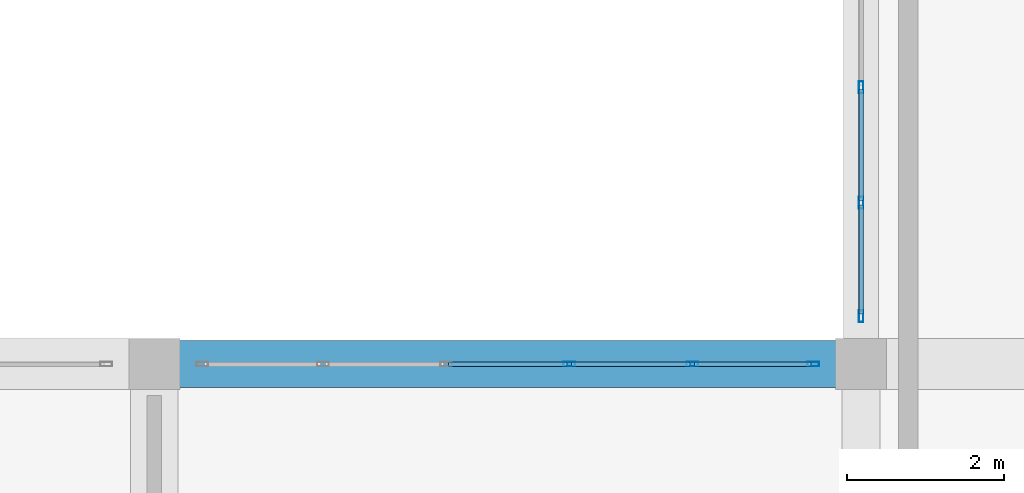
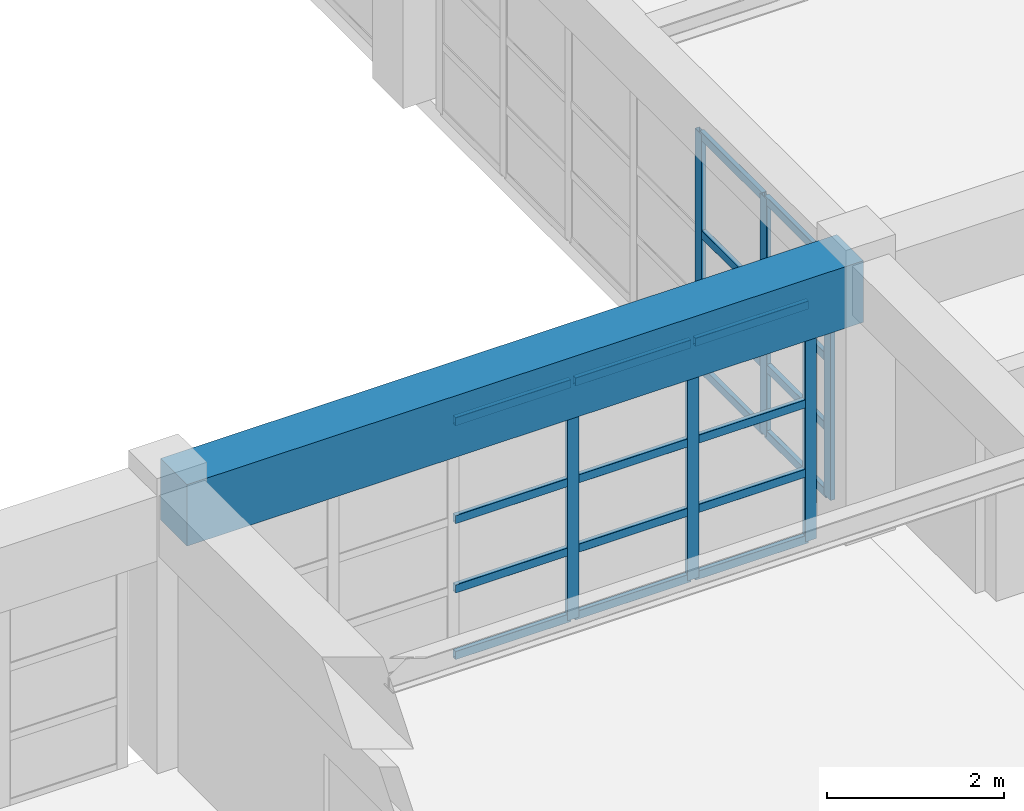
# One storey, part 56 of 130: 26 members, 1 beam, 2 elements without a shape of their own.
"""IFC4 building model written with IfcOpenShell, lengths in metres."""

from ifc_helpers import new_model, si_unit, direction, frame, origin, origin_2d, place, context, subcontext, project, spatial, rectangle, hollow_rectangle, extrude, material, material_profile, profile_set, type_object, element, aggregate, save


model = new_model("IFC4")

# Units and contexts
model_context = context("Model", 3, precision=1e-05, world=origin(), true_north=direction((0.0, 1.0)))
body_context = subcontext(model_context, "Body", "Model", "MODEL_VIEW")
ifc_project = project(units=[si_unit("LENGTHUNIT", "METRE"), si_unit("AREAUNIT", "SQUARE_METRE"), si_unit("VOLUMEUNIT", "CUBIC_METRE"), si_unit("PLANEANGLEUNIT", "RADIAN"), si_unit("MASSUNIT", "GRAM", prefix="KILO")], contexts=[model_context])

# Site, building, storey
site_placement = place(None, origin())
site = spatial("IfcSite", under=ifc_project, at=site_placement, CompositionType="ELEMENT")
building_placement = place(site_placement, origin())
building = spatial("IfcBuilding", under=site, at=building_placement, Name="Miravela Opera House", CompositionType="ELEMENT")
storey_placement = place(building_placement, frame((0.0, 0.0, 9.52001953125)))
storey = spatial("IfcBuildingStorey", under=building, at=storey_placement, Name="L02", CompositionType="ELEMENT", Elevation=9.52001953125)

# Curtain wall, members
ifc_material_1 = material(Name="Anodised architectural bronze aluminium 6063-T6", Category="aluminium")
curtain_wall_type = type_object("IfcCurtainWallType", Name="ARC-CW-05", PredefinedType="NOTDEFINED", material=ifc_material_1)
curtain_wall_1_placement = place(storey_placement, origin())
curtain_wall_1 = element("IfcCurtainWall", 1, at=curtain_wall_1_placement, inside=storey, type_object=curtain_wall_type, Name="Courtyard Arcade Curtain Wall CW-L02-095", PredefinedType="NOTDEFINED")
ifc_material_profile_1 = material_profile(ifc_material_1, hollow_rectangle(XDim=0.06005859375, YDim=0.14990234375, WallThickness=0.00390625, InnerFilletRadius=0.001953125, OuterFilletRadius=0.00390625, at=origin_2d()), Name="CWM-60X150")
ifc_profile_set_1 = profile_set([ifc_material_profile_1])
member_type_1 = type_object("IfcMemberType", Name="ARC-CWM-150", PredefinedType="MULLION", material=ifc_profile_set_1)
member_1_placement = place(storey_placement, frame((59.283935546875, 84.0, 0.0), z_axis=(0.0, 0.0, 1.0), x_axis=(0.0, 1.0, 0.0)))
member_1 = element("IfcMember", 2, at=member_1_placement, type_object=member_type_1, Name="CW-05 mullion 4", PredefinedType="MULLION", context=body_context, shape_type="SweptSolid", body=[
    extrude(hollow_rectangle(XDim=0.06005859375, YDim=0.14990234375, WallThickness=0.00390625, InnerFilletRadius=0.001953125, OuterFilletRadius=0.00390625, at=origin_2d()), origin(), (0.0, 0.0, 1.0), 3.2900390625),
])
member_2_placement = place(storey_placement, frame((60.85205078125, 84.0, 0.0), z_axis=(0.0, 0.0, 1.0), x_axis=(0.0, 1.0, 0.0)))
member_2 = element("IfcMember", 3, at=member_2_placement, type_object=member_type_1, Name="CW-05 mullion 5", PredefinedType="MULLION", context=body_context, shape_type="SweptSolid", body=[
    extrude(hollow_rectangle(XDim=0.06005859375, YDim=0.14990234375, WallThickness=0.00390625, InnerFilletRadius=0.001953125, OuterFilletRadius=0.00390625, at=origin_2d()), origin(), (0.0, 0.0, 1.0), 3.2900390625),
])
member_3_placement = place(storey_placement, frame((62.389892578125, 84.0, 0.0), z_axis=(0.0, 0.0, 1.0), x_axis=(0.0, 1.0, 0.0)))
member_3 = element("IfcMember", 4, at=member_3_placement, type_object=member_type_1, Name="CW-05 mullion 6", PredefinedType="MULLION", context=body_context, shape_type="SweptSolid", body=[
    extrude(hollow_rectangle(XDim=0.06005859375, YDim=0.14990234375, WallThickness=0.00390625, InnerFilletRadius=0.001953125, OuterFilletRadius=0.00390625, at=origin_2d()), origin(), (0.0, 0.0, 1.0), 3.2900390625),
])

curtain_wall_2_placement = place(storey_placement, origin())
curtain_wall_2 = element("IfcCurtainWall", 5, at=curtain_wall_2_placement, inside=storey, type_object=curtain_wall_type, Name="Courtyard Arcade Curtain Wall CW-L02-099", PredefinedType="NOTDEFINED")
member_4_placement = place(storey_placement, frame((63.0, 84.610107421875, 0.0), z_axis=(0.0, 0.0, 1.0), x_axis=(-1.0, 0.0, 0.0)))
member_4 = element("IfcMember", 6, at=member_4_placement, type_object=member_type_1, Name="CW-05 mullion 1", PredefinedType="MULLION", context=body_context, shape_type="SweptSolid", body=[
    extrude(hollow_rectangle(XDim=0.06005859375, YDim=0.14990234375, WallThickness=0.00390625, InnerFilletRadius=0.001953125, OuterFilletRadius=0.00390625, at=origin_2d()), origin(), (0.0, 0.0, 1.0), 3.2900390625),
])
member_5_placement = place(storey_placement, frame((63.0, 86.05322265625, 0.0), z_axis=(0.0, 0.0, 1.0), x_axis=(-1.0, 0.0, 0.0)))
member_5 = element("IfcMember", 7, at=member_5_placement, type_object=member_type_1, Name="CW-05 mullion 2", PredefinedType="MULLION", context=body_context, shape_type="SweptSolid", body=[
    extrude(hollow_rectangle(XDim=0.06005859375, YDim=0.14990234375, WallThickness=0.00390625, InnerFilletRadius=0.001953125, OuterFilletRadius=0.00390625, at=origin_2d()), origin(), (0.0, 0.0, 1.0), 3.2900390625),
])
member_6_placement = place(storey_placement, frame((63.0, 87.526611328125, 0.0), z_axis=(0.0, 0.0, 1.0), x_axis=(-1.0, 0.0, 0.0)))
member_6 = element("IfcMember", 8, at=member_6_placement, type_object=member_type_1, Name="CW-05 mullion 3", PredefinedType="MULLION", context=body_context, shape_type="SweptSolid", body=[
    extrude(hollow_rectangle(XDim=0.06005859375, YDim=0.14990234375, WallThickness=0.00390625, InnerFilletRadius=0.001953125, OuterFilletRadius=0.00390625, at=origin_2d()), origin(), (0.0, 0.0, 1.0), 3.2900390625),
])

# Member
ifc_material_profile_2 = material_profile(ifc_material_1, hollow_rectangle(XDim=0.06005859375, YDim=0.114990234375, WallThickness=0.00390625, InnerFilletRadius=0.001953125, OuterFilletRadius=0.00390625, at=origin_2d()), Name="CWT-60X115")
ifc_profile_set_2 = profile_set([ifc_material_profile_2])
member_type_2 = type_object("IfcMemberType", Name="ARC-CWT-115", PredefinedType="USERDEFINED", material=ifc_profile_set_2)
member_7_placement = place(storey_placement, frame((57.74609375, 84.0, 0.030029296875), z_axis=(1.0, 0.0, 0.0), x_axis=(0.0, 1.0, 0.0)))
member_7 = element("IfcMember", 9, at=member_7_placement, type_object=member_type_2, Name="CW-05 transom 3.1", ObjectType="TRANSOM", PredefinedType="USERDEFINED", context=body_context, shape_type="SweptSolid", body=[
    extrude(hollow_rectangle(XDim=0.06005859375, YDim=0.114990234375, WallThickness=0.00390625, InnerFilletRadius=0.001953125, OuterFilletRadius=0.00390625, at=origin_2d()), origin(), (0.0, 0.0, 1.0), 1.5078125),
])

member_8_placement = place(storey_placement, frame((57.74609375, 84.0, 0.949951171875), z_axis=(1.0, 0.0, 0.0), x_axis=(0.0, 1.0, 0.0)))
member_8 = element("IfcMember", 10, at=member_8_placement, type_object=member_type_2, Name="CW-05 transom 3.2", ObjectType="TRANSOM", PredefinedType="USERDEFINED", context=body_context, shape_type="SweptSolid", body=[
    extrude(hollow_rectangle(XDim=0.06005859375, YDim=0.114990234375, WallThickness=0.00390625, InnerFilletRadius=0.001953125, OuterFilletRadius=0.00390625, at=origin_2d()), origin(), (0.0, 0.0, 1.0), 1.5078125),
])

member_9_placement = place(storey_placement, frame((57.74609375, 84.0, 1.908203125), z_axis=(1.0, 0.0, 0.0), x_axis=(0.0, 1.0, 0.0)))
member_9 = element("IfcMember", 11, at=member_9_placement, type_object=member_type_2, Name="CW-05 transom 3.3", ObjectType="TRANSOM", PredefinedType="USERDEFINED", context=body_context, shape_type="SweptSolid", body=[
    extrude(hollow_rectangle(XDim=0.06005859375, YDim=0.114990234375, WallThickness=0.00390625, InnerFilletRadius=0.001953125, OuterFilletRadius=0.00390625, at=origin_2d()), origin(), (0.0, 0.0, 1.0), 1.5078125),
])

member_10_placement = place(storey_placement, frame((57.74609375, 84.0, 3.260009765625), z_axis=(1.0, 0.0, 0.0), x_axis=(0.0, 1.0, 0.0)))
member_10 = element("IfcMember", 12, at=member_10_placement, type_object=member_type_2, Name="CW-05 transom 3.4", ObjectType="TRANSOM", PredefinedType="USERDEFINED", context=body_context, shape_type="SweptSolid", body=[
    extrude(hollow_rectangle(XDim=0.06005859375, YDim=0.114990234375, WallThickness=0.00390625, InnerFilletRadius=0.001953125, OuterFilletRadius=0.00390625, at=origin_2d()), origin(), (0.0, 0.0, 1.0), 1.5078125),
])

member_11_placement = place(storey_placement, frame((59.31396484375, 84.0, 0.030029296875), z_axis=(1.0, 0.0, 0.0), x_axis=(0.0, 1.0, 0.0)))
member_11 = element("IfcMember", 13, at=member_11_placement, type_object=member_type_2, Name="CW-05 transom 4.1", ObjectType="TRANSOM", PredefinedType="USERDEFINED", context=body_context, shape_type="SweptSolid", body=[
    extrude(hollow_rectangle(XDim=0.06005859375, YDim=0.114990234375, WallThickness=0.00390625, InnerFilletRadius=0.001953125, OuterFilletRadius=0.00390625, at=origin_2d()), origin(), (0.0, 0.0, 1.0), 1.508056640625),
])

member_12_placement = place(storey_placement, frame((59.31396484375, 84.0, 0.949951171875), z_axis=(1.0, 0.0, 0.0), x_axis=(0.0, 1.0, 0.0)))
member_12 = element("IfcMember", 14, at=member_12_placement, type_object=member_type_2, Name="CW-05 transom 4.2", ObjectType="TRANSOM", PredefinedType="USERDEFINED", context=body_context, shape_type="SweptSolid", body=[
    extrude(hollow_rectangle(XDim=0.06005859375, YDim=0.114990234375, WallThickness=0.00390625, InnerFilletRadius=0.001953125, OuterFilletRadius=0.00390625, at=origin_2d()), origin(), (0.0, 0.0, 1.0), 1.508056640625),
])

member_13_placement = place(storey_placement, frame((59.31396484375, 84.0, 1.908203125), z_axis=(1.0, 0.0, 0.0), x_axis=(0.0, 1.0, 0.0)))
member_13 = element("IfcMember", 15, at=member_13_placement, type_object=member_type_2, Name="CW-05 transom 4.3", ObjectType="TRANSOM", PredefinedType="USERDEFINED", context=body_context, shape_type="SweptSolid", body=[
    extrude(hollow_rectangle(XDim=0.06005859375, YDim=0.114990234375, WallThickness=0.00390625, InnerFilletRadius=0.001953125, OuterFilletRadius=0.00390625, at=origin_2d()), origin(), (0.0, 0.0, 1.0), 1.508056640625),
])

member_14_placement = place(storey_placement, frame((59.31396484375, 84.0, 3.260009765625), z_axis=(1.0, 0.0, 0.0), x_axis=(0.0, 1.0, 0.0)))
member_14 = element("IfcMember", 16, at=member_14_placement, type_object=member_type_2, Name="CW-05 transom 4.4", ObjectType="TRANSOM", PredefinedType="USERDEFINED", context=body_context, shape_type="SweptSolid", body=[
    extrude(hollow_rectangle(XDim=0.06005859375, YDim=0.114990234375, WallThickness=0.00390625, InnerFilletRadius=0.001953125, OuterFilletRadius=0.00390625, at=origin_2d()), origin(), (0.0, 0.0, 1.0), 1.508056640625),
])

member_15_placement = place(storey_placement, frame((60.882080078125, 84.0, 0.030029296875), z_axis=(1.0, 0.0, 0.0), x_axis=(0.0, 1.0, 0.0)))
member_15 = element("IfcMember", 17, at=member_15_placement, type_object=member_type_2, Name="CW-05 transom 5.1", ObjectType="TRANSOM", PredefinedType="USERDEFINED", context=body_context, shape_type="SweptSolid", body=[
    extrude(hollow_rectangle(XDim=0.06005859375, YDim=0.114990234375, WallThickness=0.00390625, InnerFilletRadius=0.001953125, OuterFilletRadius=0.00390625, at=origin_2d()), origin(), (0.0, 0.0, 1.0), 1.47802734375),
])

member_16_placement = place(storey_placement, frame((60.882080078125, 84.0, 0.949951171875), z_axis=(1.0, 0.0, 0.0), x_axis=(0.0, 1.0, 0.0)))
member_16 = element("IfcMember", 18, at=member_16_placement, type_object=member_type_2, Name="CW-05 transom 5.2", ObjectType="TRANSOM", PredefinedType="USERDEFINED", context=body_context, shape_type="SweptSolid", body=[
    extrude(hollow_rectangle(XDim=0.06005859375, YDim=0.114990234375, WallThickness=0.00390625, InnerFilletRadius=0.001953125, OuterFilletRadius=0.00390625, at=origin_2d()), origin(), (0.0, 0.0, 1.0), 1.47802734375),
])

member_17_placement = place(storey_placement, frame((60.882080078125, 84.0, 1.908203125), z_axis=(1.0, 0.0, 0.0), x_axis=(0.0, 1.0, 0.0)))
member_17 = element("IfcMember", 19, at=member_17_placement, type_object=member_type_2, Name="CW-05 transom 5.3", ObjectType="TRANSOM", PredefinedType="USERDEFINED", context=body_context, shape_type="SweptSolid", body=[
    extrude(hollow_rectangle(XDim=0.06005859375, YDim=0.114990234375, WallThickness=0.00390625, InnerFilletRadius=0.001953125, OuterFilletRadius=0.00390625, at=origin_2d()), origin(), (0.0, 0.0, 1.0), 1.47802734375),
])

member_18_placement = place(storey_placement, frame((60.882080078125, 84.0, 3.260009765625), z_axis=(1.0, 0.0, 0.0), x_axis=(0.0, 1.0, 0.0)))
member_18 = element("IfcMember", 20, at=member_18_placement, type_object=member_type_2, Name="CW-05 transom 5.4", ObjectType="TRANSOM", PredefinedType="USERDEFINED", context=body_context, shape_type="SweptSolid", body=[
    extrude(hollow_rectangle(XDim=0.06005859375, YDim=0.114990234375, WallThickness=0.00390625, InnerFilletRadius=0.001953125, OuterFilletRadius=0.00390625, at=origin_2d()), origin(), (0.0, 0.0, 1.0), 1.47802734375),
])

aggregate(curtain_wall_1, [member_1, member_2, member_3, member_7, member_8, member_9, member_10, member_11, member_12, member_13, member_14, member_15, member_16, member_17, member_18])

member_19_placement = place(storey_placement, frame((63.0, 84.639892578125, 0.030029296875), z_axis=(0.0, 1.0, 0.0), x_axis=(-1.0, 0.0, 0.0)))
member_19 = element("IfcMember", 21, at=member_19_placement, type_object=member_type_2, Name="CW-05 transom 1.1", ObjectType="TRANSOM", PredefinedType="USERDEFINED", context=body_context, shape_type="SweptSolid", body=[
    extrude(hollow_rectangle(XDim=0.06005859375, YDim=0.114990234375, WallThickness=0.00390625, InnerFilletRadius=0.001953125, OuterFilletRadius=0.00390625, at=origin_2d()), origin(), (0.0, 0.0, 1.0), 1.383544921875),
])

member_20_placement = place(storey_placement, frame((63.0, 84.639892578125, 0.949951171875), z_axis=(0.0, 1.0, 0.0), x_axis=(-1.0, 0.0, 0.0)))
member_20 = element("IfcMember", 22, at=member_20_placement, type_object=member_type_2, Name="CW-05 transom 1.2", ObjectType="TRANSOM", PredefinedType="USERDEFINED", context=body_context, shape_type="SweptSolid", body=[
    extrude(hollow_rectangle(XDim=0.06005859375, YDim=0.114990234375, WallThickness=0.00390625, InnerFilletRadius=0.001953125, OuterFilletRadius=0.00390625, at=origin_2d()), origin(), (0.0, 0.0, 1.0), 1.383544921875),
])

member_21_placement = place(storey_placement, frame((63.0, 84.639892578125, 1.908203125), z_axis=(0.0, 1.0, 0.0), x_axis=(-1.0, 0.0, 0.0)))
member_21 = element("IfcMember", 23, at=member_21_placement, type_object=member_type_2, Name="CW-05 transom 1.3", ObjectType="TRANSOM", PredefinedType="USERDEFINED", context=body_context, shape_type="SweptSolid", body=[
    extrude(hollow_rectangle(XDim=0.06005859375, YDim=0.114990234375, WallThickness=0.00390625, InnerFilletRadius=0.001953125, OuterFilletRadius=0.00390625, at=origin_2d()), origin(), (0.0, 0.0, 1.0), 1.383544921875),
])

member_22_placement = place(storey_placement, frame((63.0, 84.639892578125, 3.260009765625), z_axis=(0.0, 1.0, 0.0), x_axis=(-1.0, 0.0, 0.0)))
member_22 = element("IfcMember", 24, at=member_22_placement, type_object=member_type_2, Name="CW-05 transom 1.4", ObjectType="TRANSOM", PredefinedType="USERDEFINED", context=body_context, shape_type="SweptSolid", body=[
    extrude(hollow_rectangle(XDim=0.06005859375, YDim=0.114990234375, WallThickness=0.00390625, InnerFilletRadius=0.001953125, OuterFilletRadius=0.00390625, at=origin_2d()), origin(), (0.0, 0.0, 1.0), 1.383544921875),
])

member_23_placement = place(storey_placement, frame((63.0, 86.083251953125, 0.030029296875), z_axis=(0.0, 1.0, 0.0), x_axis=(-1.0, 0.0, 0.0)))
member_23 = element("IfcMember", 25, at=member_23_placement, type_object=member_type_2, Name="CW-05 transom 2.1", ObjectType="TRANSOM", PredefinedType="USERDEFINED", context=body_context, shape_type="SweptSolid", body=[
    extrude(hollow_rectangle(XDim=0.06005859375, YDim=0.114990234375, WallThickness=0.00390625, InnerFilletRadius=0.001953125, OuterFilletRadius=0.00390625, at=origin_2d()), origin(), (0.0, 0.0, 1.0), 1.413330078125),
])

member_24_placement = place(storey_placement, frame((63.0, 86.083251953125, 0.949951171875), z_axis=(0.0, 1.0, 0.0), x_axis=(-1.0, 0.0, 0.0)))
member_24 = element("IfcMember", 26, at=member_24_placement, type_object=member_type_2, Name="CW-05 transom 2.2", ObjectType="TRANSOM", PredefinedType="USERDEFINED", context=body_context, shape_type="SweptSolid", body=[
    extrude(hollow_rectangle(XDim=0.06005859375, YDim=0.114990234375, WallThickness=0.00390625, InnerFilletRadius=0.001953125, OuterFilletRadius=0.00390625, at=origin_2d()), origin(), (0.0, 0.0, 1.0), 1.413330078125),
])

member_25_placement = place(storey_placement, frame((63.0, 86.083251953125, 1.908203125), z_axis=(0.0, 1.0, 0.0), x_axis=(-1.0, 0.0, 0.0)))
member_25 = element("IfcMember", 27, at=member_25_placement, type_object=member_type_2, Name="CW-05 transom 2.3", ObjectType="TRANSOM", PredefinedType="USERDEFINED", context=body_context, shape_type="SweptSolid", body=[
    extrude(hollow_rectangle(XDim=0.06005859375, YDim=0.114990234375, WallThickness=0.00390625, InnerFilletRadius=0.001953125, OuterFilletRadius=0.00390625, at=origin_2d()), origin(), (0.0, 0.0, 1.0), 1.413330078125),
])

member_26_placement = place(storey_placement, frame((63.0, 86.083251953125, 3.260009765625), z_axis=(0.0, 1.0, 0.0), x_axis=(-1.0, 0.0, 0.0)))
member_26 = element("IfcMember", 28, at=member_26_placement, type_object=member_type_2, Name="CW-05 transom 2.4", ObjectType="TRANSOM", PredefinedType="USERDEFINED", context=body_context, shape_type="SweptSolid", body=[
    extrude(hollow_rectangle(XDim=0.06005859375, YDim=0.114990234375, WallThickness=0.00390625, InnerFilletRadius=0.001953125, OuterFilletRadius=0.00390625, at=origin_2d()), origin(), (0.0, 0.0, 1.0), 1.413330078125),
])

aggregate(curtain_wall_2, [member_4, member_5, member_6, member_19, member_20, member_21, member_22, member_23, member_24, member_25, member_26])

# Beam
ifc_material_2 = material(Name="Concrete C40/50", Category="concrete")
ifc_material_profile_3 = material_profile(ifc_material_2, rectangle(XDim=0.60009765625, YDim=0.85009765625, at=origin_2d()), Name="RC-BM-600X850")
ifc_profile_set_3 = profile_set([ifc_material_profile_3])
beam_type = type_object("IfcBeamType", Name="STR-BM-RC600X850", PredefinedType="BEAM", material=ifc_profile_set_3)
beam_placement = place(storey_placement, frame((54.080078125, 84.0, 3.4150390625), z_axis=(1.0, 0.0, 0.0), x_axis=(0.0, 1.0, 0.0)))
element("IfcBeam", 29, at=beam_placement, inside=storey, type_object=beam_type, Name="Floor Girder L02 7-8/J", PredefinedType="BEAM", context=body_context, shape_type="SweptSolid", body=[
    extrude(rectangle(XDim=0.60009765625, YDim=0.85009765625, at=origin_2d()), origin(), (0.0, 0.0, 1.0), 8.83984375),
])

save(model, "model.ifc")
